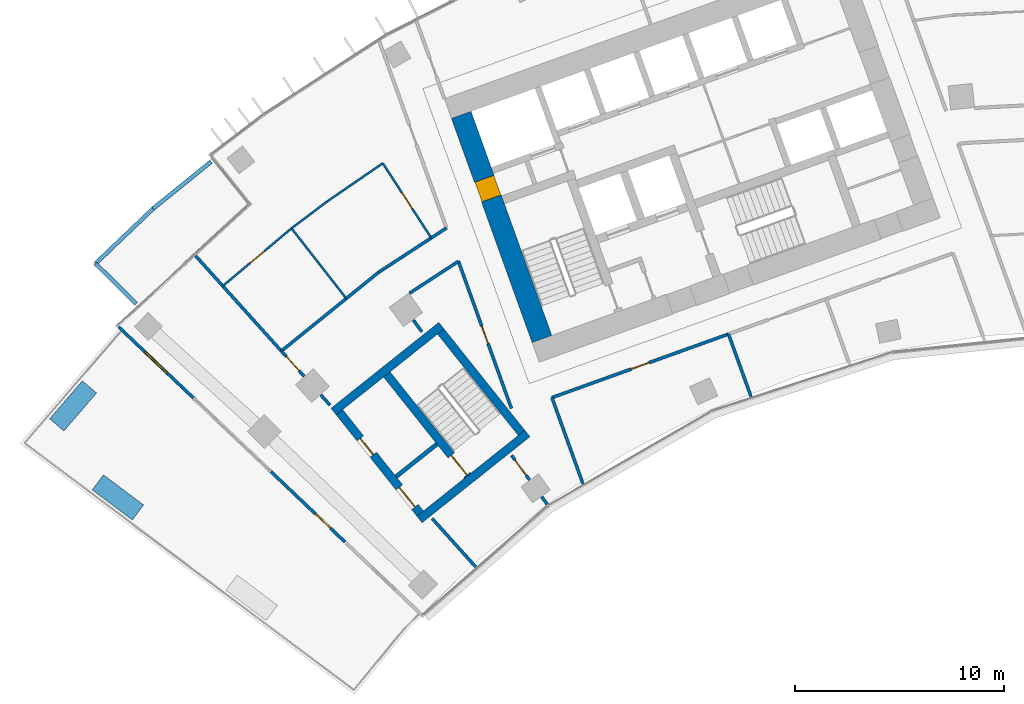
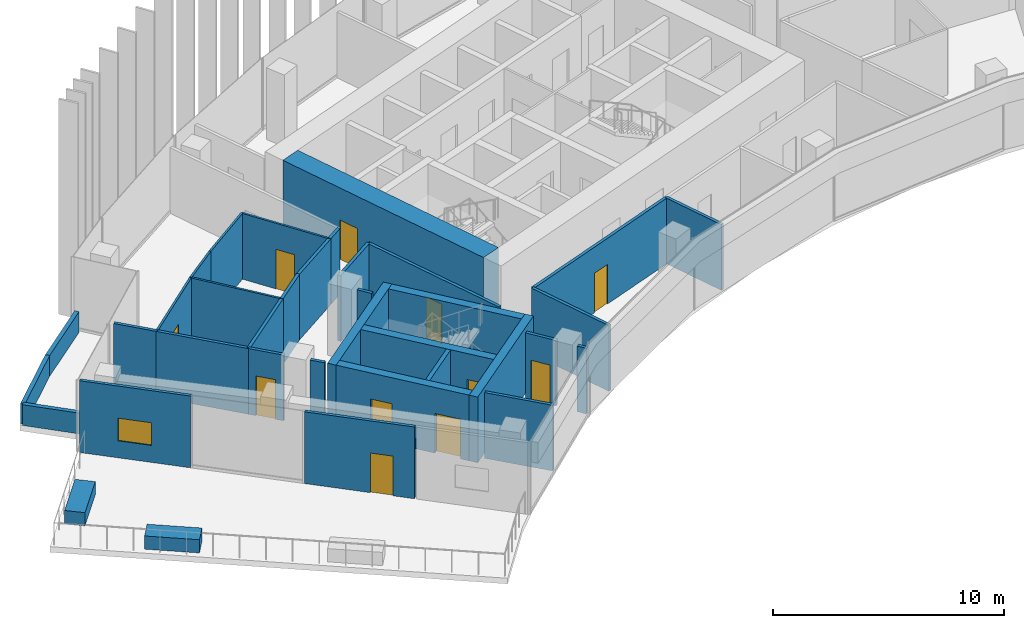
# One storey, part 12 of 20: 36 walls, 11 doors, 1 window, 12 openings.
"""IFC4 building model written with IfcOpenShell, lengths in metres."""

from ifc_helpers import new_model, si_unit, direction, frame, frame_2d, origin, origin_2d, place, context, subcontext, project, spatial, rectangle, extrude, material, layer, layer_set, type_object, element, fill, save


model = new_model("IFC4")

# Units and contexts
model_context = context("Model", 3, precision=1e-05, world=origin(), true_north=direction((0.0, 1.0)))
body_context = subcontext(model_context, "Body", "Model", "MODEL_VIEW")
ifc_project = project(units=[si_unit("LENGTHUNIT", "METRE"), si_unit("AREAUNIT", "SQUARE_METRE"), si_unit("VOLUMEUNIT", "CUBIC_METRE"), si_unit("PLANEANGLEUNIT", "RADIAN"), si_unit("MASSUNIT", "GRAM", prefix="KILO")], contexts=[model_context])

# Site, building, storey
site_placement = place(None, origin())
site = spatial("IfcSite", under=ifc_project, at=site_placement, CompositionType="ELEMENT")
building_placement = place(site_placement, origin())
building = spatial("IfcBuilding", under=site, at=building_placement, Name="Stone Belt Terrace Tower", CompositionType="ELEMENT")
storey_placement = place(building_placement, frame((0.0, 0.0, 201.0)))
storey = spatial("IfcBuildingStorey", under=building, at=storey_placement, Name="L48", CompositionType="ELEMENT", Elevation=201.0)

# Wall, opening, window
ifc_material_1 = material(Name="Terracotta coloured glazed ceramic", Category="masonry")
ifc_layer_1 = layer(ifc_material_1, 0.14990234375)
ifc_layer_set_1 = layer_set([ifc_layer_1], Name="Ceramic rain-screen wall 150")
wall_type_1 = type_object("IfcWallType", Name="Ceramic rain-screen wall 150", PredefinedType="SOLIDWALL", material=ifc_layer_set_1)
wall_1_placement = place(storey_placement, frame((-46.082275390625, 43.685791015625, 0.0), z_axis=(0.0, 0.0, 1.0), x_axis=(0.724898618234, -0.688855567796, 0.0)))
wall_1 = element("IfcWall", 1, at=wall_1_placement, inside=storey, type_object=wall_type_1, Name="Door wall L48", PredefinedType="SOLIDWALL", context=body_context, shape_type="SweptSolid", body=[
    extrude(rectangle(XDim=4.958251953125, YDim=0.14990234375, at=frame_2d((2.47900390625, 0.0))), origin(), (0.0, 0.0, 1.0), 3.800048828125),
])
opening_1_placement = place(wall_1_placement, frame((1.72900390625, 0.0, 0.89990234375)))
opening_1 = element("IfcOpeningElement", 2, at=opening_1_placement, cuts=wall_1, Name="Opening L48-E01", PredefinedType="OPENING", context=body_context, shape_type="SweptSolid", body=[
    extrude(rectangle(XDim=1.5, YDim=1.199951171875, at=frame_2d((0.75, 0.60009765625))), frame((0.0, 0.0849609375, 0.0), z_axis=(0.0, -1.0, 0.0), x_axis=(1.0, 0.0, 0.0)), (0.0, 0.0, 1.0), 0.169921875),
])
ifc_material_2 = material(Name="Anodised aluminium window frame", Category="aluminium")
window_type = type_object("IfcWindowType", Name="Conservatory vent window 1500 x 1200", PartitioningType="SINGLE_PANEL", PredefinedType="WINDOW", material=ifc_material_2)
window_placement = place(opening_1_placement, origin())
window = element("IfcWindow", 3, at=window_placement, inside=storey, type_object=window_type, Name="Conservatory vent window L48", OverallHeight=1.199951171875, OverallWidth=1.5, PartitioningType="SINGLE_PANEL", PredefinedType="WINDOW", context=body_context, shape_type="SweptSolid", body=[
    extrude(rectangle(XDim=1.5, YDim=1.199951171875, at=frame_2d((0.75, 0.60009765625))), frame((0.0, 0.030029296875, 0.0), z_axis=(0.0, -1.0, 0.0), x_axis=(1.0, 0.0, 0.0)), (0.0, 0.0, 1.0), 0.06005859375),
])
fill(opening_1, window)

# Wall, opening, door
wall_2_placement = place(storey_placement, frame((-38.8056640625, 36.77099609375, 0.0), z_axis=(0.0, 0.0, 1.0), x_axis=(0.724913944175, -0.688839439594, 0.0)))
wall_2 = element("IfcWall", 4, at=wall_2_placement, inside=storey, type_object=wall_type_1, Name="Door wall L48", PredefinedType="SOLIDWALL", context=body_context, shape_type="SweptSolid", body=[
    extrude(rectangle(XDim=4.920166015625, YDim=0.14990234375, at=frame_2d((2.4599609375, 0.0))), origin(), (0.0, 0.0, 1.0), 3.800048828125),
])
opening_2_placement = place(wall_2_placement, frame((2.949951171875, 0.0, 0.0)))
opening_2 = element("IfcOpeningElement", 5, at=opening_2_placement, cuts=wall_2, Name="Opening L48-E02", PredefinedType="OPENING", context=body_context, shape_type="SweptSolid", body=[
    extrude(rectangle(XDim=1.0, YDim=2.10009765625, at=frame_2d((0.5, 1.050048828125))), frame((0.0, 0.0849609375, 0.0), z_axis=(0.0, -1.0, 0.0), x_axis=(1.0, 0.0, 0.0)), (0.0, 0.0, 1.0), 0.169921875),
])
ifc_material_3 = material(Name="Anodised aluminium glazed door", Category="aluminium")
door_type_1 = type_object("IfcDoorType", Name="Terrace door 1000 x 2100", OperationType="NOTDEFINED", PredefinedType="DOOR", material=ifc_material_3)
door_1_placement = place(opening_2_placement, origin())
door_1 = element("IfcDoor", 6, at=door_1_placement, inside=storey, type_object=door_type_1, Name="Terrace door L48", OperationType="SINGLE_SWING_RIGHT", OverallHeight=2.10009765625, OverallWidth=1.0, PredefinedType="DOOR", context=body_context, shape_type="SweptSolid", body=[
    extrude(rectangle(XDim=1.0, YDim=2.10009765625, at=frame_2d((0.5, 1.050048828125))), frame((0.0, 0.02490234375, 0.0), z_axis=(0.0, -1.0, 0.0), x_axis=(1.0, 0.0, 0.0)), (0.0, 0.0, 1.0), 0.050048828125),
])
fill(opening_2, door_1)

ifc_material_4 = material(Name="Concrete B60", Category="concrete")
ifc_layer_2 = layer(ifc_material_4, 1.0)
ifc_layer_set_2 = layer_set([ifc_layer_2], Name="Core wall 1000 B60")
wall_type_2 = type_object("IfcWallType", Name="Core wall 1000 B60", PredefinedType="SHEAR", material=ifc_layer_set_2)
wall_3_placement = place(storey_placement, frame((-25.821044921875, 43.102783203125, 0.0), z_axis=(0.0, 0.0, 1.0), x_axis=(-0.338625431531, 0.940921259788, 0.0)))
wall_3 = element("IfcWall", 7, at=wall_3_placement, inside=storey, type_object=wall_type_2, Name="Core A wall end_a L48", PredefinedType="SHEAR", context=body_context, shape_type="SweptSolid", body=[
    extrude(rectangle(XDim=11.400146484375, YDim=1.0, at=frame_2d((5.7001953125, 0.0))), origin(), (0.0, 0.0, 1.0), 3.800048828125),
])
opening_3_placement = place(wall_3_placement, frame((7.14990234375, 0.0, 0.0)))
opening_3 = element("IfcOpeningElement", 8, at=opening_3_placement, cuts=wall_3, Name="Opening L48-C04", PredefinedType="OPENING", context=body_context, shape_type="SweptSolid", body=[
    extrude(rectangle(XDim=1.0, YDim=2.10009765625, at=frame_2d((0.5, 1.050048828125))), frame((0.0, 0.510009765625, 0.0), z_axis=(0.0, -1.0, 0.0), x_axis=(1.0, 0.0, 0.0)), (0.0, 0.0, 1.0), 1.02001953125),
])
ifc_material_5 = material(Name="Timber door leaf", Category="wood")
door_type_2 = type_object("IfcDoorType", Name="Core room door 1000", OperationType="SINGLE_SWING_LEFT", PredefinedType="DOOR", material=ifc_material_5)
door_2_placement = place(opening_3_placement, origin())
door_2 = element("IfcDoor", 9, at=door_2_placement, inside=storey, type_object=door_type_2, Name="Door to Telecommunications riser room core A", OperationType="SINGLE_SWING_RIGHT", OverallHeight=2.10009765625, OverallWidth=1.0, PredefinedType="DOOR", context=body_context, shape_type="SweptSolid", body=[
    extrude(rectangle(XDim=1.0, YDim=2.10009765625, at=frame_2d((0.5, 1.050048828125))), frame((0.0, 0.47021484375, 0.0), z_axis=(0.0, -1.0, 0.0), x_axis=(1.0, 0.0, 0.0)), (0.0, 0.0, 1.0), 0.949951171875),
])
fill(opening_3, door_2)

ifc_material_6 = material(Name="Gypsum board partition")
ifc_layer_3 = layer(ifc_material_6, 0.10009765625)
ifc_layer_set_3 = layer_set([ifc_layer_3], Name="PARTITION 100")
wall_type_3 = type_object("IfcWallType", Name="PARTITION 100", PredefinedType="PARTITIONING", material=ifc_layer_set_3)
wall_4_placement = place(storey_placement, frame((-37.805908203125, 48.39990234375, 0.0), z_axis=(0.0, 0.0, 1.0), x_axis=(-0.766026250333, -0.642809290381, 0.0)))
wall_4 = element("IfcWall", 10, at=wall_4_placement, inside=storey, type_object=wall_type_3, Name="L48/wall/i071", PredefinedType="PARTITIONING", context=body_context, shape_type="SweptSolid", body=[
    extrude(rectangle(XDim=4.293701171875, YDim=0.10009765625, at=frame_2d((2.14697265625, 0.0))), origin(), (0.0, 0.0, 1.0), 3.47998046875),
])
opening_4_placement = place(wall_4_placement, frame((1.69677734375, 0.0, 0.0)))
opening_4 = element("IfcOpeningElement", 11, at=opening_4_placement, cuts=wall_4, Name="Opening D-D1-23", PredefinedType="OPENING", context=body_context, shape_type="SweptSolid", body=[
    extrude(rectangle(XDim=0.89990234375, YDim=2.10009765625, at=frame_2d((0.449951171875, 1.050048828125))), frame((0.0, 0.06005859375, 0.0), z_axis=(0.0, -1.0, 0.0), x_axis=(1.0, 0.0, 0.0)), (0.0, 0.0, 1.0), 0.1201171875),
])
door_type_3 = type_object("IfcDoorType", Name="OFFICE DOOR 900 X 2100", OperationType="NOTDEFINED", PredefinedType="DOOR", material=ifc_material_5)
door_3_placement = place(opening_4_placement, origin())
door_3 = element("IfcDoor", 12, at=door_3_placement, inside=storey, type_object=door_type_3, Name="L48/door/i23", OperationType="SINGLE_SWING_RIGHT", OverallHeight=2.10009765625, OverallWidth=0.89990234375, PredefinedType="DOOR", context=body_context, shape_type="SweptSolid", body=[
    extrude(rectangle(XDim=0.89990234375, YDim=2.10009765625, at=frame_2d((0.449951171875, 1.050048828125))), frame((0.0, 0.02490234375, 0.0), z_axis=(0.0, -1.0, 0.0), x_axis=(1.0, 0.0, 0.0)), (0.0, 0.0, 1.0), 0.050048828125),
])
fill(opening_4, door_3)

wall_5_placement = place(storey_placement, frame((-31.117919921875, 47.93994140625, 0.0), z_axis=(0.0, 0.0, 1.0), x_axis=(-0.544490810322, 0.838766807566, 0.0)))
wall_5 = element("IfcWall", 13, at=wall_5_placement, inside=storey, type_object=wall_type_3, Name="L48/wall/i072", PredefinedType="PARTITIONING", context=body_context, shape_type="SweptSolid", body=[
    extrude(rectangle(XDim=4.260986328125, YDim=0.10009765625, at=frame_2d((2.13037109375, 0.0))), origin(), (0.0, 0.0, 1.0), 3.47998046875),
])
opening_5_placement = place(wall_5_placement, frame((1.680419921875, 0.0, 0.0)))
opening_5 = element("IfcOpeningElement", 14, at=opening_5_placement, cuts=wall_5, Name="Opening D-D1-24", PredefinedType="OPENING", context=body_context, shape_type="SweptSolid", body=[
    extrude(rectangle(XDim=0.89990234375, YDim=2.10009765625, at=frame_2d((0.449951171875, 1.050048828125))), frame((0.0, 0.06005859375, 0.0), z_axis=(0.0, -1.0, 0.0), x_axis=(1.0, 0.0, 0.0)), (0.0, 0.0, 1.0), 0.1201171875),
])
door_4_placement = place(opening_5_placement, origin())
door_4 = element("IfcDoor", 15, at=door_4_placement, inside=storey, type_object=door_type_3, Name="L48/door/i24", OperationType="SINGLE_SWING_RIGHT", OverallHeight=2.10009765625, OverallWidth=0.89990234375, PredefinedType="DOOR", context=body_context, shape_type="SweptSolid", body=[
    extrude(rectangle(XDim=0.89990234375, YDim=2.10009765625, at=frame_2d((0.449951171875, 1.050048828125))), frame((0.0, 0.02490234375, 0.0), z_axis=(0.0, -1.0, 0.0), x_axis=(1.0, 0.0, 0.0)), (0.0, 0.0, 1.0), 0.050048828125),
])
fill(opening_5, door_4)

# Walls
wall_6_placement = place(storey_placement, frame((-33.43798828125, 51.513916015625, 0.0), z_axis=(0.0, 0.0, 1.0), x_axis=(-0.824280150967, -0.566182155072, 0.0)))
element("IfcWall", 16, at=wall_6_placement, inside=storey, type_object=wall_type_3, Name="L48/wall/i073", PredefinedType="PARTITIONING", context=body_context, shape_type="SweptSolid", body=[
    extrude(rectangle(XDim=3.228515625, YDim=0.10009765625, at=frame_2d((1.6142578125, 0.0))), origin(), (0.0, 0.0, 1.0), 3.47998046875),
])
wall_7_placement = place(storey_placement, frame((-36.09912109375, 49.68603515625, 0.0), z_axis=(0.0, 0.0, 1.0), x_axis=(-0.798640801042, -0.601808001701, 0.0)))
element("IfcWall", 17, at=wall_7_placement, inside=storey, type_object=wall_type_3, Name="L48/wall/i074", PredefinedType="PARTITIONING", context=body_context, shape_type="SweptSolid", body=[
    extrude(rectangle(XDim=2.13720703125, YDim=0.10009765625, at=frame_2d((1.068603515625, 0.0))), origin(), (0.0, 0.0, 1.0), 3.47998046875),
])
wall_8_placement = place(storey_placement, frame((-37.805908203125, 48.39990234375, 0.0), z_axis=(0.0, 0.0, 1.0), x_axis=(0.615530582774, -0.788113000572, 0.0)))
element("IfcWall", 18, at=wall_8_placement, inside=storey, type_object=wall_type_3, Name="L48/wall/i075", PredefinedType="PARTITIONING", context=body_context, shape_type="SweptSolid", body=[
    extrude(rectangle(XDim=4.259521484375, YDim=0.10009765625, at=frame_2d((2.1298828125, 0.0))), origin(), (0.0, 0.0, 1.0), 3.47998046875),
])
ifc_layer_4 = layer(ifc_material_6, 0.14990234375)
ifc_layer_set_4 = layer_set([ifc_layer_4], Name="PARTITION 150 EI 60")
wall_type_4 = type_object("IfcWallType", Name="PARTITION 150 EI 60", PredefinedType="PARTITIONING", material=ifc_layer_set_4)
wall_9_placement = place(storey_placement, frame((-25.344970703125, 40.304931640625, 0.0), z_axis=(0.0, 0.0, 1.0), x_axis=(0.338603151709, -0.94092927771, 0.0)))
element("IfcWall", 19, at=wall_9_placement, inside=storey, type_object=wall_type_4, Name="L48/wall/i001", PredefinedType="PARTITIONING", context=body_context, shape_type="SweptSolid", body=[
    extrude(rectangle(XDim=4.38525390625, YDim=0.14990234375, at=frame_2d((2.192626953125, 0.0))), origin(), (0.0, 0.0, 1.0), 3.47998046875),
])

# Wall, opening, door
wall_10_placement = place(storey_placement, frame((-27.282958984375, 39.781982421875, 0.0), z_axis=(0.0, 0.0, 1.0), x_axis=(-0.338714849804, 0.940889074505, 0.0)))
wall_10 = element("IfcWall", 20, at=wall_10_placement, inside=storey, type_object=wall_type_4, Name="L48/wall/i003", PredefinedType="PARTITIONING", context=body_context, shape_type="SweptSolid", body=[
    extrude(rectangle(XDim=7.487548828125, YDim=0.14990234375, at=frame_2d((3.74365234375, 0.0))), origin(), (0.0, 0.0, 1.0), 3.47998046875),
])
opening_6_placement = place(wall_10_placement, frame((3.293701171875, 0.0, 0.0)))
opening_6 = element("IfcOpeningElement", 21, at=opening_6_placement, cuts=wall_10, Name="Opening D-D1-20", PredefinedType="OPENING", context=body_context, shape_type="SweptSolid", body=[
    extrude(rectangle(XDim=0.89990234375, YDim=2.10009765625, at=frame_2d((0.449951171875, 1.050048828125))), frame((0.0, 0.0849609375, 0.0), z_axis=(0.0, -1.0, 0.0), x_axis=(1.0, 0.0, 0.0)), (0.0, 0.0, 1.0), 0.169921875),
])
door_5_placement = place(opening_6_placement, origin())
door_5 = element("IfcDoor", 22, at=door_5_placement, inside=storey, type_object=door_type_3, Name="L48/door/i20", OperationType="SINGLE_SWING_RIGHT", OverallHeight=2.10009765625, OverallWidth=0.89990234375, PredefinedType="DOOR", context=body_context, shape_type="SweptSolid", body=[
    extrude(rectangle(XDim=0.89990234375, YDim=2.10009765625, at=frame_2d((0.449951171875, 1.050048828125))), frame((0.0, 0.02490234375, 0.0), z_axis=(0.0, -1.0, 0.0), x_axis=(1.0, 0.0, 0.0)), (0.0, 0.0, 1.0), 0.050048828125),
])
fill(opening_6, door_5)

# Wall
wall_11_placement = place(storey_placement, frame((-25.568359375, 35.1923828125, 0.0), z_axis=(0.0, 0.0, 1.0), x_axis=(-0.588039748242, 0.808832031072, 0.0)))
element("IfcWall", 23, at=wall_11_placement, inside=storey, type_object=wall_type_4, Name="L48/wall/i004", PredefinedType="PARTITIONING", context=body_context, shape_type="SweptSolid", body=[
    extrude(rectangle(XDim=0.440185546875, YDim=0.14990234375, at=frame_2d((0.22021484375, 0.0))), origin(), (0.0, 0.0, 1.0), 3.47998046875),
])

# Wall, opening, door
wall_12_placement = place(storey_placement, frame((-26.4208984375, 36.365478515625, 0.0), z_axis=(0.0, 0.0, 1.0), x_axis=(-0.58799095087, 0.808867505649, 0.0)))
wall_12 = element("IfcWall", 24, at=wall_12_placement, inside=storey, type_object=wall_type_4, Name="L48/wall/i005", PredefinedType="PARTITIONING", context=body_context, shape_type="SweptSolid", body=[
    extrude(rectangle(XDim=1.44580078125, YDim=0.14990234375, at=frame_2d((0.722900390625, 0.0))), origin(), (0.0, 0.0, 1.0), 3.47998046875),
])
opening_7_placement = place(wall_12_placement, frame((0.27294921875, 0.0, 0.0)))
opening_7 = element("IfcOpeningElement", 25, at=opening_7_placement, cuts=wall_12, Name="Opening D-D1-21", PredefinedType="OPENING", context=body_context, shape_type="SweptSolid", body=[
    extrude(rectangle(XDim=0.89990234375, YDim=2.10009765625, at=frame_2d((0.449951171875, 1.050048828125))), frame((0.0, 0.0849609375, 0.0), z_axis=(0.0, -1.0, 0.0), x_axis=(1.0, 0.0, 0.0)), (0.0, 0.0, 1.0), 0.169921875),
])
door_6_placement = place(opening_7_placement, origin())
door_6 = element("IfcDoor", 26, at=door_6_placement, inside=storey, type_object=door_type_3, Name="L48/door/i21", OperationType="SINGLE_SWING_RIGHT", OverallHeight=2.10009765625, OverallWidth=0.89990234375, PredefinedType="DOOR", context=body_context, shape_type="SweptSolid", body=[
    extrude(rectangle(XDim=0.89990234375, YDim=2.10009765625, at=frame_2d((0.449951171875, 1.050048828125))), frame((0.0, 0.02490234375, 0.0), z_axis=(0.0, -1.0, 0.0), x_axis=(1.0, 0.0, 0.0)), (0.0, 0.0, 1.0), 0.050048828125),
])
fill(opening_7, door_6)

wall_13_placement = place(storey_placement, frame((-16.886962890625, 43.342041015625, 0.0), z_axis=(0.0, 0.0, 1.0), x_axis=(-0.940930346997, -0.338600180303, 0.0)))
wall_13 = element("IfcWall", 27, at=wall_13_placement, inside=storey, type_object=wall_type_4, Name="L48/wall/i014", PredefinedType="PARTITIONING", context=body_context, shape_type="SweptSolid", body=[
    extrude(rectangle(XDim=8.98681640625, YDim=0.14990234375, at=frame_2d((4.493408203125, 0.0))), origin(), (0.0, 0.0, 1.0), 3.47998046875),
])
opening_8_placement = place(wall_13_placement, frame((4.04345703125, 0.0, 0.0)))
opening_8 = element("IfcOpeningElement", 28, at=opening_8_placement, cuts=wall_13, Name="Opening D-D1-01", PredefinedType="OPENING", context=body_context, shape_type="SweptSolid", body=[
    extrude(rectangle(XDim=0.89990234375, YDim=2.10009765625, at=frame_2d((0.449951171875, 1.050048828125))), frame((0.0, 0.0849609375, 0.0), z_axis=(0.0, -1.0, 0.0), x_axis=(1.0, 0.0, 0.0)), (0.0, 0.0, 1.0), 0.169921875),
])
door_7_placement = place(opening_8_placement, origin())
door_7 = element("IfcDoor", 29, at=door_7_placement, inside=storey, type_object=door_type_3, Name="L48/door/i01", OperationType="SINGLE_SWING_RIGHT", OverallHeight=2.10009765625, OverallWidth=0.89990234375, PredefinedType="DOOR", context=body_context, shape_type="SweptSolid", body=[
    extrude(rectangle(XDim=0.89990234375, YDim=2.10009765625, at=frame_2d((0.449951171875, 1.050048828125))), frame((0.0, 0.02490234375, 0.0), z_axis=(0.0, -1.0, 0.0), x_axis=(1.0, 0.0, 0.0)), (0.0, 0.0, 1.0), 0.050048828125),
])
fill(opening_8, door_7)

# Wall
wall_14_placement = place(storey_placement, frame((-16.89306640625, 43.340087890625, 0.0), z_axis=(0.0, 0.0, 1.0), x_axis=(0.338762980425, -0.940871746357, 0.0)))
element("IfcWall", 30, at=wall_14_placement, inside=storey, type_object=wall_type_4, Name="L48/wall/i017", PredefinedType="PARTITIONING", context=body_context, shape_type="SweptSolid", body=[
    extrude(rectangle(XDim=3.178955078125, YDim=0.14990234375, at=frame_2d((1.58935546875, 0.0))), origin(), (0.0, 0.0, 1.0), 3.47998046875),
])

# Wall, opening, door
wall_15_placement = place(storey_placement, frame((-37.207275390625, 41.322265625, 0.0), z_axis=(0.0, 0.0, 1.0), x_axis=(-0.669188772471, 0.743092448353, 0.0)))
wall_15 = element("IfcWall", 31, at=wall_15_placement, inside=storey, type_object=wall_type_4, Name="L48/wall/i060", PredefinedType="PARTITIONING", context=body_context, shape_type="SweptSolid", body=[
    extrude(rectangle(XDim=1.625244140625, YDim=0.14990234375, at=frame_2d((0.8125, 0.0))), origin(), (0.0, 0.0, 1.0), 3.47998046875),
])
opening_9_placement = place(wall_15_placement, frame((0.362548828125, 0.0, 0.0)))
opening_9 = element("IfcOpeningElement", 32, at=opening_9_placement, cuts=wall_15, Name="Opening D-D1-19", PredefinedType="OPENING", context=body_context, shape_type="SweptSolid", body=[
    extrude(rectangle(XDim=0.89990234375, YDim=2.10009765625, at=frame_2d((0.449951171875, 1.050048828125))), frame((0.0, 0.0849609375, 0.0), z_axis=(0.0, -1.0, 0.0), x_axis=(1.0, 0.0, 0.0)), (0.0, 0.0, 1.0), 0.169921875),
])
door_8_placement = place(opening_9_placement, origin())
door_8 = element("IfcDoor", 33, at=door_8_placement, inside=storey, type_object=door_type_3, Name="L48/door/i19", OperationType="SINGLE_SWING_RIGHT", OverallHeight=2.10009765625, OverallWidth=0.89990234375, PredefinedType="DOOR", context=body_context, shape_type="SweptSolid", body=[
    extrude(rectangle(XDim=0.89990234375, YDim=2.10009765625, at=frame_2d((0.449951171875, 1.050048828125))), frame((0.0, 0.02490234375, 0.0), z_axis=(0.0, -1.0, 0.0), x_axis=(1.0, 0.0, 0.0)), (0.0, 0.0, 1.0), 0.050048828125),
])
fill(opening_9, door_8)

# Walls
wall_16_placement = place(storey_placement, frame((-36.3974609375, 40.42333984375, 0.0), z_axis=(0.0, 0.0, 1.0), x_axis=(0.669006377534, -0.743256662815, 0.0)))
element("IfcWall", 34, at=wall_16_placement, inside=storey, type_object=wall_type_4, Name="L48/wall/i061", PredefinedType="PARTITIONING", context=body_context, shape_type="SweptSolid", body=[
    extrude(rectangle(XDim=0.647705078125, YDim=0.14990234375, at=frame_2d((0.32373046875, 0.0))), origin(), (0.0, 0.0, 1.0), 3.47998046875),
])
wall_17_placement = place(storey_placement, frame((-31.071044921875, 34.507080078125, 0.0), z_axis=(0.0, 0.0, 1.0), x_axis=(0.669060096377, -0.743208306894, 0.0)))
element("IfcWall", 35, at=wall_17_placement, inside=storey, type_object=wall_type_4, Name="L48/wall/i062", PredefinedType="PARTITIONING", context=body_context, shape_type="SweptSolid", body=[
    extrude(rectangle(XDim=3.111572265625, YDim=0.14990234375, at=frame_2d((1.5556640625, 0.0))), origin(), (0.0, 0.0, 1.0), 3.47998046875),
])
wall_18_placement = place(storey_placement, frame((-42.39501953125, 47.084228515625, 0.0), z_axis=(0.0, 0.0, 1.0), x_axis=(0.669144544056, -0.743132275682, 0.0)))
element("IfcWall", 36, at=wall_18_placement, inside=storey, type_object=wall_type_4, Name="L48/wall/i063", PredefinedType="PARTITIONING", context=body_context, shape_type="SweptSolid", body=[
    extrude(rectangle(XDim=1.9501953125, YDim=0.14990234375, at=frame_2d((0.97509765625, 0.0))), origin(), (0.0, 0.0, 1.0), 3.47998046875),
])
wall_19_placement = place(storey_placement, frame((-41.09912109375, 45.64404296875, 0.0), z_axis=(0.0, 0.0, 1.0), x_axis=(0.669131615876, -0.743143916503, 0.0)))
element("IfcWall", 37, at=wall_19_placement, inside=storey, type_object=wall_type_4, Name="L48/wall/i064", PredefinedType="PARTITIONING", context=body_context, shape_type="SweptSolid", body=[
    extrude(rectangle(XDim=4.202392578125, YDim=0.14990234375, at=frame_2d((2.10107421875, 0.0))), origin(), (0.0, 0.0, 1.0), 3.47998046875),
])
wall_20_placement = place(storey_placement, frame((-29.818115234375, 46.820068359375, 0.0), z_axis=(0.0, 0.0, 1.0), x_axis=(-0.837346388284, -0.546672686374, 0.0)))
element("IfcWall", 38, at=wall_20_placement, inside=storey, type_object=wall_type_4, Name="L48/wall/i065", PredefinedType="PARTITIONING", context=body_context, shape_type="SweptSolid", body=[
    extrude(rectangle(XDim=2.795166015625, YDim=0.14990234375, at=frame_2d((1.3974609375, 0.0))), origin(), (0.0, 0.0, 1.0), 3.47998046875),
])
wall_21_placement = place(storey_placement, frame((-31.972412109375, 44.006591796875, 0.0), z_axis=(0.0, 0.0, 1.0), x_axis=(0.587983155364, -0.808873172388, 0.0)))
element("IfcWall", 39, at=wall_21_placement, inside=storey, type_object=wall_type_4, Name="L48/wall/i066", PredefinedType="PARTITIONING", context=body_context, shape_type="SweptSolid", body=[
    extrude(rectangle(XDim=0.693115234375, YDim=0.14990234375, at=frame_2d((0.3466796875, 0.0))), origin(), (0.0, 0.0, 1.0), 3.47998046875),
])
wall_22_placement = place(storey_placement, frame((-31.123046875, 47.93701171875, 0.0), z_axis=(0.0, 0.0, 1.0), x_axis=(0.837671633935, 0.546174178903, 0.0)))
element("IfcWall", 40, at=wall_22_placement, inside=storey, type_object=wall_type_4, Name="L48/wall/i067", PredefinedType="PARTITIONING", context=body_context, shape_type="SweptSolid", body=[
    extrude(rectangle(XDim=0.875244140625, YDim=0.14990234375, at=frame_2d((0.4375, 0.0))), origin(), (0.0, 0.0, 1.0), 3.47998046875),
])
wall_23_placement = place(storey_placement, frame((-38.2900390625, 42.527099609375, 0.0), z_axis=(0.0, 0.0, 1.0), x_axis=(0.777207940589, 0.629243845488, 0.0)))
element("IfcWall", 41, at=wall_23_placement, inside=storey, type_object=wall_type_4, Name="L48/wall/i068", PredefinedType="PARTITIONING", context=body_context, shape_type="SweptSolid", body=[
    extrude(rectangle(XDim=4.0029296875, YDim=0.14990234375, at=frame_2d((2.00146484375, 0.0))), origin(), (0.0, 0.0, 1.0), 3.47998046875),
])
wall_24_placement = place(storey_placement, frame((-35.18798828125, 45.0390625, 0.0), z_axis=(0.0, 0.0, 1.0), x_axis=(0.777133830158, 0.629335371662, 0.0)))
element("IfcWall", 42, at=wall_24_placement, inside=storey, type_object=wall_type_4, Name="L48/wall/i069", PredefinedType="PARTITIONING", context=body_context, shape_type="SweptSolid", body=[
    extrude(rectangle(XDim=1.9970703125, YDim=0.14990234375, at=frame_2d((0.99853515625, 0.0))), origin(), (0.0, 0.0, 1.0), 3.47998046875),
])
wall_25_placement = place(storey_placement, frame((-33.635986328125, 46.2958984375, 0.0), z_axis=(0.0, 0.0, 1.0), x_axis=(0.837334847355, 0.546690363374, 0.0)))
element("IfcWall", 43, at=wall_25_placement, inside=storey, type_object=wall_type_4, Name="L48/wall/i070", PredefinedType="PARTITIONING", context=body_context, shape_type="SweptSolid", body=[
    extrude(rectangle(XDim=3.01318359375, YDim=0.14990234375, at=frame_2d((1.506591796875, 0.0))), origin(), (0.0, 0.0, 1.0), 3.47998046875),
])
ifc_material_7 = material(Name="Precast concrete C40/50", Category="concrete")
ifc_layer_5 = layer(ifc_material_7, 0.89990234375)
ifc_layer_set_5 = layer_set([ifc_layer_5], Name="Planter box 900 x 700")
wall_type_5 = type_object("IfcWallType", Name="Planter box 900 x 700", PredefinedType="SOLIDWALL", material=ifc_layer_set_5)
for number, where, z_axis, x_axis, name in (
    (44, (-48.25732421875, 39.902099609375, 0.0), (0.0, 0.0, 1.0), (-0.652737860281, -0.757583847343, 0.0), "PLANTER L48 1"),
    (45, (-46.111083984375, 35.5224609375, 0.0), (0.0, 0.0, 1.0), (0.799986505357, -0.600017992436, 0.0), "PLANTER L48 2"),
):
    element("IfcWall", number, at=place(storey_placement, frame(where, z_axis=z_axis, x_axis=x_axis)), inside=storey, type_object=wall_type_5, Name=name, PredefinedType="SOLIDWALL", context=body_context, shape_type="SweptSolid", body=[
        extrude(rectangle(XDim=2.39990234375, YDim=0.89990234375, at=origin_2d()), origin(), (0.0, 0.0, 1.0), 0.699951171875),
    ])
ifc_material_8 = material(Name="Concrete masonry block", Category="masonry")
ifc_layer_6 = layer(ifc_material_8, 0.199951171875)
ifc_layer_set_6 = layer_set([ifc_layer_6], Name="Rated lobby wall 200")
wall_type_6 = type_object("IfcWallType", Name="Rated lobby wall 200", PredefinedType="PARTITIONING", material=ifc_layer_set_6)
wall_26_placement = place(storey_placement, frame((-30.845703125, 38.074951171875, 0.0), z_axis=(0.0, 0.0, 1.0), x_axis=(-0.782115323833, -0.623133709749, 0.0)))
element("IfcWall", 46, at=wall_26_placement, inside=storey, type_object=wall_type_6, Name="Exit stair ST3A wall", PredefinedType="PARTITIONING", context=body_context, shape_type="SweptSolid", body=[
    extrude(rectangle(XDim=2.5, YDim=0.199951171875, at=frame_2d((1.25, 0.0))), origin(), (0.0, 0.0, 1.0), 3.47998046875),
])
ifc_layer_7 = layer(ifc_material_7, 0.199951171875)
ifc_layer_set_7 = layer_set([ifc_layer_7], Name="Roof parapet 200 x 1100")
wall_type_7 = type_object("IfcWallType", Name="Roof parapet 200 x 1100", PredefinedType="PARAPET", material=ifc_layer_set_7)
wall_27_placement = place(storey_placement, frame((-47.185302734375, 46.713134765625, 0.0), z_axis=(0.0, 0.0, 1.0), x_axis=(0.711666598475, -0.702517368195, 0.0)))
element("IfcWall", 47, at=wall_27_placement, inside=storey, type_object=wall_type_7, Name="PARAPET L48", PredefinedType="PARAPET", context=body_context, shape_type="SweptSolid", body=[
    extrude(rectangle(XDim=2.7216796875, YDim=0.199951171875, at=frame_2d((1.36083984375, 0.0))), origin(), (0.0, 0.0, 1.0), 1.10009765625),
])
wall_28_placement = place(storey_placement, frame((-41.66064453125, 51.58740234375, 0.0), z_axis=(0.0, 0.0, 1.0), x_axis=(-0.777160337127, -0.629302638162, 0.0)))
element("IfcWall", 48, at=wall_28_placement, inside=storey, type_object=wall_type_7, Name="PARAPET L48", PredefinedType="PARAPET", context=body_context, shape_type="SweptSolid", body=[
    extrude(rectangle(XDim=3.56494140625, YDim=0.199951171875, at=frame_2d((1.782470703125, 0.0))), origin(), (0.0, 0.0, 1.0), 1.10009765625),
])
wall_29_placement = place(storey_placement, frame((-44.43115234375, 49.343994140625, 0.0), z_axis=(0.0, 0.0, 1.0), x_axis=(-0.723106652447, -0.69073639631, 0.0)))
element("IfcWall", 49, at=wall_29_placement, inside=storey, type_object=wall_type_7, Name="PARAPET L48", PredefinedType="PARAPET", context=body_context, shape_type="SweptSolid", body=[
    extrude(rectangle(XDim=3.808837890625, YDim=0.199951171875, at=frame_2d((1.904296875, 0.0))), origin(), (0.0, 0.0, 1.0), 1.10009765625),
])
ifc_material_9 = material(Name="Concrete B80", Category="concrete")
ifc_layer_8 = layer(ifc_material_9, 0.39990234375)
ifc_layer_set_8 = layer_set([ifc_layer_8], Name="Stair enclosure wall 400")
wall_type_8 = type_object("IfcWallType", Name="Stair enclosure wall 400", PredefinedType="SHEAR", material=ifc_layer_set_8)
for number, where, z_axis, x_axis, name in (
    (50, (-26.518798828125, 38.58154296875, 0.0), (0.0, 0.0, 1.0), (-0.782133914161, -0.623110375711, 0.0), "Exit stair ST3A wall"),
    (51, (-30.63134765625, 43.74365234375, 0.0), (0.0, 0.0, 1.0), (-0.782133914161, -0.623110375711, 0.0), "Exit stair ST3A wall"),
):
    element("IfcWall", number, at=place(storey_placement, frame(where, z_axis=z_axis, x_axis=x_axis)), inside=storey, type_object=wall_type_8, Name=name, PredefinedType="SHEAR", context=body_context, shape_type="SweptSolid", body=[
        extrude(rectangle(XDim=6.60009765625, YDim=0.39990234375, at=frame_2d((3.300048828125, 0.0))), origin(), (0.0, 0.0, 1.0), 3.47998046875),
    ])
wall_30_placement = place(storey_placement, frame((-26.7998046875, 38.61328125, 0.0), z_axis=(0.0, 0.0, 1.0), x_axis=(-0.623118653668, 0.782127319208, 0.0)))
element("IfcWall", 52, at=wall_30_placement, inside=storey, type_object=wall_type_8, Name="Exit stair ST3A wall", PredefinedType="SHEAR", context=body_context, shape_type="SweptSolid", body=[
    extrude(rectangle(XDim=6.199951171875, YDim=0.39990234375, at=frame_2d((3.10009765625, 0.0))), origin(), (0.0, 0.0, 1.0), 3.47998046875),
])

# Wall, openings, doors
wall_31_placement = place(storey_placement, frame((-31.64892578125, 34.75, 0.0), z_axis=(0.0, 0.0, 1.0), x_axis=(-0.623118653668, 0.782127319208, 0.0)))
wall_31 = element("IfcWall", 53, at=wall_31_placement, inside=storey, type_object=wall_type_8, Name="Exit stair ST3A wall", PredefinedType="SHEAR", context=body_context, shape_type="SweptSolid", body=[
    extrude(rectangle(XDim=6.199951171875, YDim=0.39990234375, at=frame_2d((3.10009765625, 0.0))), origin(), (0.0, 0.0, 1.0), 3.47998046875),
])
opening_10_placement = place(wall_31_placement, frame((0.39990234375, 0.0, 0.0)))
opening_10 = element("IfcOpeningElement", 54, at=opening_10_placement, cuts=wall_31, Name="Opening L48-C30", PredefinedType="OPENING", context=body_context, shape_type="SweptSolid", body=[
    extrude(rectangle(XDim=1.199951171875, YDim=2.10009765625, at=frame_2d((0.60009765625, 1.050048828125))), frame((0.0, 0.2099609375, 0.0), z_axis=(0.0, -1.0, 0.0), x_axis=(1.0, 0.0, 0.0)), (0.0, 0.0, 1.0), 0.419921875),
])
opening_11_placement = place(wall_31_placement, frame((3.60009765625, 0.0, 0.0)))
opening_11 = element("IfcOpeningElement", 55, at=opening_11_placement, cuts=wall_31, Name="Opening L48-C31", PredefinedType="OPENING", context=body_context, shape_type="SweptSolid", body=[
    extrude(rectangle(XDim=1.0, YDim=2.10009765625, at=frame_2d((0.5, 1.050048828125))), frame((0.0, 0.2099609375, 0.0), z_axis=(0.0, -1.0, 0.0), x_axis=(1.0, 0.0, 0.0)), (0.0, 0.0, 1.0), 0.419921875),
])
door_9_placement = place(opening_11_placement, origin())
door_9 = element("IfcDoor", 56, at=door_9_placement, inside=storey, type_object=door_type_2, Name="Door to stair pressurisation plant room ST3A", OperationType="SINGLE_SWING_RIGHT", OverallHeight=2.10009765625, OverallWidth=1.0, PredefinedType="DOOR", context=body_context, shape_type="SweptSolid", body=[
    extrude(rectangle(XDim=1.0, YDim=2.10009765625, at=frame_2d((0.5, 1.050048828125))), frame((0.0, 0.02490234375, 0.0), z_axis=(0.0, -1.0, 0.0), x_axis=(1.0, 0.0, 0.0)), (0.0, 0.0, 1.0), 0.050048828125),
])
fill(opening_11, door_9)
ifc_material_10 = material(Name="Steel door leaf", Category="steel")
door_type_4 = type_object("IfcDoorType", Name="Stair airlock door 1200", OperationType="SINGLE_SWING_LEFT", PredefinedType="DOOR", material=ifc_material_10)
door_10_placement = place(opening_10_placement, origin())
door_10 = element("IfcDoor", 57, at=door_10_placement, inside=storey, type_object=door_type_4, Name="Stair airlock door ST3A", OperationType="SINGLE_SWING_RIGHT", OverallHeight=2.10009765625, OverallWidth=1.199951171875, PredefinedType="DOOR", context=body_context, shape_type="SweptSolid", body=[
    extrude(rectangle(XDim=1.199951171875, YDim=2.10009765625, at=frame_2d((0.60009765625, 1.050048828125))), frame((0.0, 0.02490234375, 0.0), z_axis=(0.0, -1.0, 0.0), x_axis=(1.0, 0.0, 0.0)), (0.0, 0.0, 1.0), 0.050048828125),
])
fill(opening_10, door_10)

# Wall, opening, door
wall_32_placement = place(storey_placement, frame((-29.380859375, 36.556884765625, 0.0), z_axis=(0.0, 0.0, 1.0), x_axis=(-0.623099462847, 0.782142608097, 0.0)))
wall_32 = element("IfcWall", 58, at=wall_32_placement, inside=storey, type_object=wall_type_8, Name="Exit stair ST3A wall", PredefinedType="SHEAR", context=body_context, shape_type="SweptSolid", body=[
    extrude(rectangle(XDim=6.2001953125, YDim=0.39990234375, at=frame_2d((3.10009765625, 0.0))), origin(), (0.0, 0.0, 1.0), 3.47998046875),
])
opening_12_placement = place(wall_32_placement, frame((0.050048828125, 0.0, 0.0)))
opening_12 = element("IfcOpeningElement", 59, at=opening_12_placement, cuts=wall_32, Name="Opening L48-C29", PredefinedType="OPENING", context=body_context, shape_type="SweptSolid", body=[
    extrude(rectangle(XDim=1.199951171875, YDim=2.10009765625, at=frame_2d((0.60009765625, 1.050048828125))), frame((0.0, 0.2099609375, 0.0), z_axis=(0.0, -1.0, 0.0), x_axis=(1.0, 0.0, 0.0)), (0.0, 0.0, 1.0), 0.419921875),
])
door_type_5 = type_object("IfcDoorType", Name="Stair door 1200", OperationType="SINGLE_SWING_LEFT", PredefinedType="DOOR", material=ifc_material_10)
door_11_placement = place(opening_12_placement, origin())
door_11 = element("IfcDoor", 60, at=door_11_placement, inside=storey, type_object=door_type_5, Name="Stair door ST3A", OperationType="SINGLE_SWING_LEFT", OverallHeight=2.10009765625, OverallWidth=1.199951171875, PredefinedType="DOOR", context=body_context, shape_type="SweptSolid", body=[
    extrude(rectangle(XDim=1.199951171875, YDim=2.10009765625, at=frame_2d((0.60009765625, 1.050048828125))), frame((0.0, 0.02490234375, 0.0), z_axis=(0.0, -1.0, 0.0), x_axis=(1.0, 0.0, 0.0)), (0.0, 0.0, 1.0), 0.050048828125),
])
fill(opening_12, door_11)

save(model, "model.ifc")
